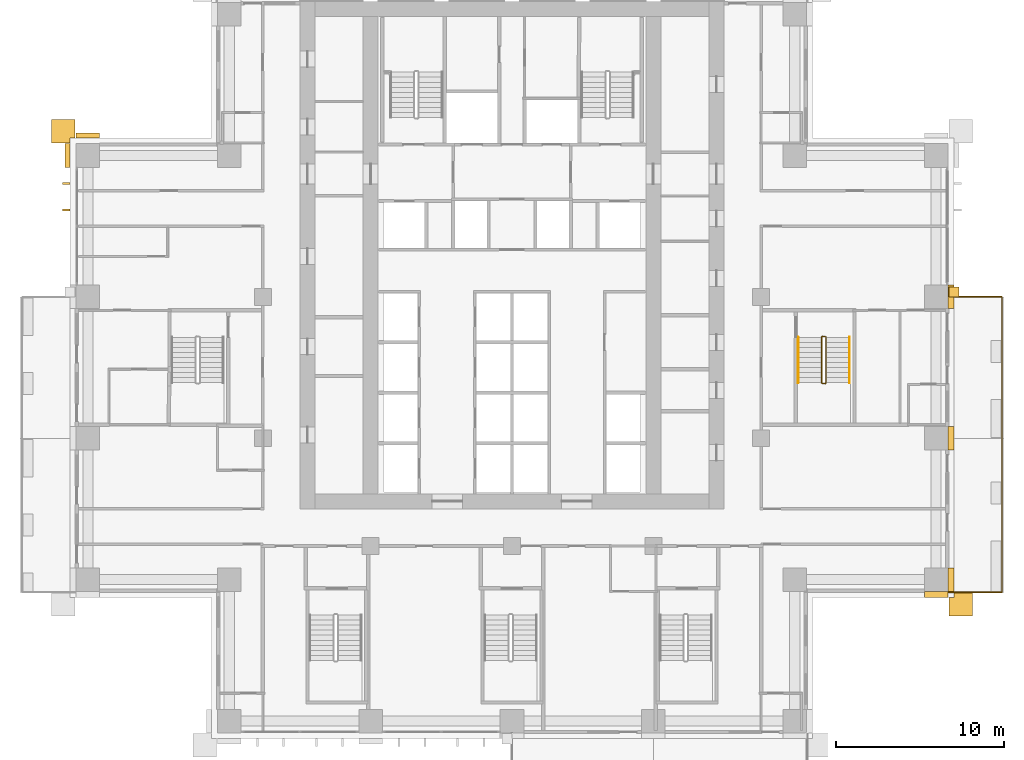
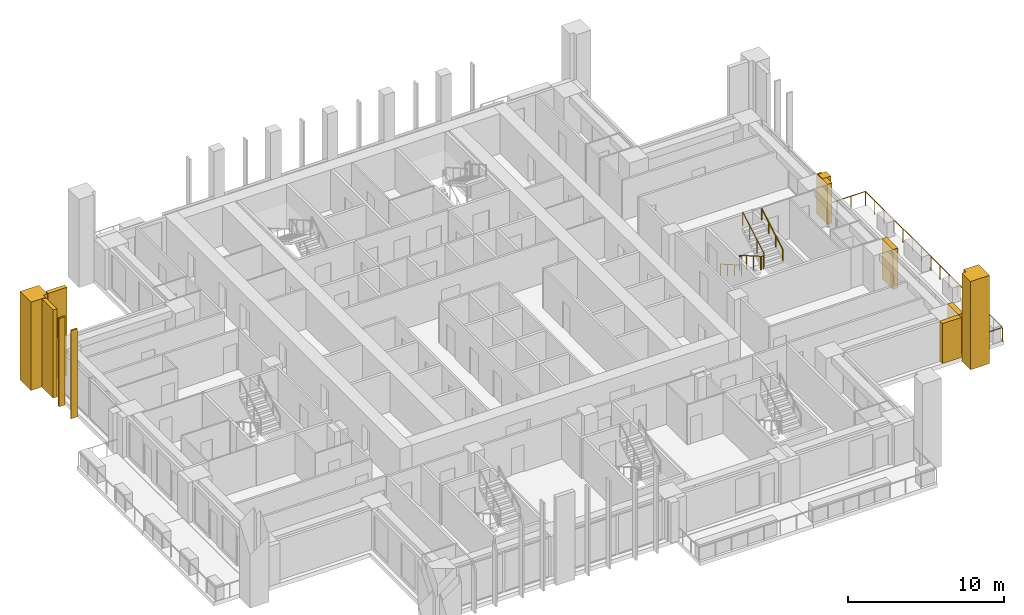
# One storey, part 17 of 19: 11 coverings, 5 railings.
"""IFC4 building model written with IfcOpenShell, lengths in metres."""

from ifc_helpers import new_model, si_unit, direction, frame, origin, origin_2d, place, context, subcontext, project, spatial, polyline, rectangle, outline, extrude, material, layer, layer_set, type_object, element, save


model = new_model("IFC4")

# Units and contexts
model_context = context("Model", 3, precision=1e-05, world=origin(), true_north=direction((0.0, 1.0)))
body_context = subcontext(model_context, "Body", "Model", "MODEL_VIEW")
ifc_project = project(units=[si_unit("LENGTHUNIT", "METRE"), si_unit("AREAUNIT", "SQUARE_METRE"), si_unit("VOLUMEUNIT", "CUBIC_METRE"), si_unit("PLANEANGLEUNIT", "RADIAN"), si_unit("MASSUNIT", "GRAM", prefix="KILO")], contexts=[model_context])

# Site, building, storey
site_placement = place(None, origin())
site = spatial("IfcSite", under=ifc_project, at=site_placement, CompositionType="ELEMENT")
building_placement = place(site_placement, origin())
building = spatial("IfcBuilding", under=site, at=building_placement, Name="Vermilion Ogive Tower", CompositionType="ELEMENT")
storey_placement = place(building_placement, frame((0.0, 0.0, 48.300048828125)))
storey = spatial("IfcBuildingStorey", under=building, at=storey_placement, Name="L10", CompositionType="ELEMENT", Elevation=48.300048828125)

# Railings
ifc_material_1 = material(Name="Stainless steel and glass", Category="steel")
railing_type_1 = type_object("IfcRailingType", Name="Balcony guard", PredefinedType="GUARDRAIL", material=ifc_material_1)
railing_1_placement = place(storey_placement, frame((25.949951171875, -13.35009765625, -0.0400390625)))
element("IfcRailing", 1, at=railing_1_placement, inside=storey, type_object=railing_type_1, Name="Guard E01", PredefinedType="GUARDRAIL", context=body_context, shape_type="SweptSolid", body=[
    extrude(rectangle(XDim=0.048095703125, YDim=0.048095703125, at=origin_2d()), frame((0.0, 0.0, 1.076171875), z_axis=(1.0, 0.0, 0.0), x_axis=(0.0, 1.0, 0.0)), (0.0, 0.0, 1.0), 3.16015625),
    extrude(rectangle(XDim=0.048095703125, YDim=0.048095703125, at=origin_2d()), frame((3.16015625, 0.0, 1.076171875), z_axis=(0.0, 1.0, 0.0), x_axis=(-1.0, 0.0, 0.0)), (0.0, 0.0, 1.0), 9.150146484375),
    extrude(rectangle(XDim=0.0419921875, YDim=0.0419921875, at=origin_2d()), origin(), (0.0, 0.0, 1.0), 1.052001953125),
    extrude(rectangle(XDim=0.0419921875, YDim=0.0419921875, at=origin_2d()), frame((1.053466796875, 0.0, 0.0)), (0.0, 0.0, 1.0), 1.052001953125),
    extrude(rectangle(XDim=0.0419921875, YDim=0.0419921875, at=origin_2d()), frame((2.106689453125, 0.0, 0.0)), (0.0, 0.0, 1.0), 1.052001953125),
    extrude(rectangle(XDim=0.0419921875, YDim=0.0419921875, at=origin_2d()), frame((3.16015625, 0.0, 0.0)), (0.0, 0.0, 1.0), 1.052001953125),
    extrude(rectangle(XDim=0.0419921875, YDim=0.0419921875, at=origin_2d()), frame((3.16015625, 1.143798828125, 0.0)), (0.0, 0.0, 1.0), 1.052001953125),
    extrude(rectangle(XDim=0.0419921875, YDim=0.0419921875, at=origin_2d()), frame((3.16015625, 2.28759765625, 0.0)), (0.0, 0.0, 1.0), 1.052001953125),
    extrude(rectangle(XDim=0.0419921875, YDim=0.0419921875, at=origin_2d()), frame((3.16015625, 3.431396484375, 0.0)), (0.0, 0.0, 1.0), 1.052001953125),
    extrude(rectangle(XDim=0.0419921875, YDim=0.0419921875, at=origin_2d()), frame((3.16015625, 4.5751953125, 0.0)), (0.0, 0.0, 1.0), 1.052001953125),
    extrude(rectangle(XDim=0.0419921875, YDim=0.0419921875, at=origin_2d()), frame((3.16015625, 5.71875, 0.0)), (0.0, 0.0, 1.0), 1.052001953125),
    extrude(rectangle(XDim=0.0419921875, YDim=0.0419921875, at=origin_2d()), frame((3.16015625, 6.862548828125, 0.0)), (0.0, 0.0, 1.0), 1.052001953125),
    extrude(rectangle(XDim=0.0419921875, YDim=0.0419921875, at=origin_2d()), frame((3.16015625, 8.00634765625, 0.0)), (0.0, 0.0, 1.0), 1.052001953125),
    extrude(rectangle(XDim=0.0419921875, YDim=0.0419921875, at=origin_2d()), frame((3.16015625, 9.150146484375, 0.0)), (0.0, 0.0, 1.0), 1.052001953125),
])
railing_2_placement = place(storey_placement, frame((29.110107421875, -4.199951171875, -0.0400390625)))
element("IfcRailing", 2, at=railing_2_placement, inside=storey, type_object=railing_type_1, Name="Guard E02", PredefinedType="GUARDRAIL", context=body_context, shape_type="SweptSolid", body=[
    extrude(rectangle(XDim=0.048095703125, YDim=0.048095703125, at=origin_2d()), frame((0.0, 0.0, 1.076171875), z_axis=(0.0, 1.0, 0.0), x_axis=(-1.0, 0.0, 0.0)), (0.0, 0.0, 1.0), 8.39990234375),
    extrude(rectangle(XDim=0.048095703125, YDim=0.048095703125, at=origin_2d()), frame((0.0, 8.39990234375, 1.076171875), z_axis=(-1.0, 0.0, 0.0), x_axis=(0.0, -1.0, 0.0)), (0.0, 0.0, 1.0), 3.16015625),
    extrude(rectangle(XDim=0.0419921875, YDim=0.0419921875, at=origin_2d()), origin(), (0.0, 0.0, 1.0), 1.052001953125),
    extrude(rectangle(XDim=0.0419921875, YDim=0.0419921875, at=origin_2d()), frame((0.0, 1.199951171875, 0.0)), (0.0, 0.0, 1.0), 1.052001953125),
    extrude(rectangle(XDim=0.0419921875, YDim=0.0419921875, at=origin_2d()), frame((0.0, 2.39990234375, 0.0)), (0.0, 0.0, 1.0), 1.052001953125),
    extrude(rectangle(XDim=0.0419921875, YDim=0.0419921875, at=origin_2d()), frame((0.0, 3.599853515625, 0.0)), (0.0, 0.0, 1.0), 1.052001953125),
    extrude(rectangle(XDim=0.0419921875, YDim=0.0419921875, at=origin_2d()), frame((0.0, 4.800048828125, 0.0)), (0.0, 0.0, 1.0), 1.052001953125),
    extrude(rectangle(XDim=0.0419921875, YDim=0.0419921875, at=origin_2d()), frame((0.0, 6.0, 0.0)), (0.0, 0.0, 1.0), 1.052001953125),
    extrude(rectangle(XDim=0.0419921875, YDim=0.0419921875, at=origin_2d()), frame((0.0, 7.199951171875, 0.0)), (0.0, 0.0, 1.0), 1.052001953125),
    extrude(rectangle(XDim=0.0419921875, YDim=0.0419921875, at=origin_2d()), frame((0.0, 8.39990234375, 0.0)), (0.0, 0.0, 1.0), 1.052001953125),
    extrude(rectangle(XDim=0.0419921875, YDim=0.0419921875, at=origin_2d()), frame((-1.053466796875, 8.39990234375, 0.0)), (0.0, 0.0, 1.0), 1.052001953125),
    extrude(rectangle(XDim=0.0419921875, YDim=0.0419921875, at=origin_2d()), frame((-2.106689453125, 8.39990234375, 0.0)), (0.0, 0.0, 1.0), 1.052001953125),
    extrude(rectangle(XDim=0.0419921875, YDim=0.0419921875, at=origin_2d()), frame((-3.16015625, 8.39990234375, 0.0)), (0.0, 0.0, 1.0), 1.052001953125),
])

# Coverings
ifc_material_2 = material(Name="Glazed ceramic screen")
ifc_layer = layer(ifc_material_2, 0.14990234375)
ifc_layer_set = layer_set([ifc_layer], Name="Ceramic solar screen fin")
covering_type_1 = type_object("IfcCoveringType", Name="Ceramic solar screen fin", PredefinedType="CLADDING", material=ifc_layer_set)
covering_1_placement = place(storey_placement, frame((0.0, 0.0, -0.320068359375)))
element("IfcCovering", 3, at=covering_1_placement, inside=storey, type_object=covering_type_1, Name="Solar screen blade W021", PredefinedType="CLADDING", context=body_context, shape_type="SweptSolid", body=[
    extrude(outline(polyline([(-26.699951171875, 10.985107421875), (-26.699951171875, 10.864990234375), (-26.25, 10.864990234375), (-26.25, 10.985107421875), (-26.699951171875, 10.985107421875)])), origin(), (0.0, 0.0, 1.0), 6.89990234375),
])
covering_2_placement = place(storey_placement, frame((0.0, 0.0, -0.320068359375)))
element("IfcCovering", 4, at=covering_2_placement, inside=storey, type_object=covering_type_1, Name="Solar screen blade W022", PredefinedType="CLADDING", context=body_context, shape_type="SweptSolid", body=[
    extrude(outline(polyline([(-26.699951171875, 9.43505859375), (-26.699951171875, 9.31494140625), (-26.25, 9.31494140625), (-26.25, 9.43505859375), (-26.699951171875, 9.43505859375)])), origin(), (0.0, 0.0, 1.0), 6.89990234375),
])

# Railings
ifc_material_3 = material(Name="Steel S355 painted", Category="steel")
railing_type_2 = type_object("IfcRailingType", Name="Stair guard 1100", PredefinedType="GUARDRAIL", material=ifc_material_3)
railing_3_placement = place(storey_placement, frame((18.60009765625, 1.85009765625, 0.0)))
element("IfcRailing", 5, at=railing_3_placement, inside=storey, type_object=railing_type_2, Name="L10 ST8 stair guard 4", PredefinedType="GUARDRAIL", context=body_context, shape_type="SweptSolid", body=[
    extrude(rectangle(XDim=0.048095703125, YDim=0.048095703125, at=origin_2d()), frame((0.0, 0.0, 1.076171875), z_axis=(-1.0, 0.0, 0.0), x_axis=(0.0, -1.0, 0.0)), (0.0, 0.0, 1.0), 0.150146484375),
    extrude(rectangle(XDim=0.048095703125, YDim=0.048095703125, at=origin_2d()), frame((-0.150146484375, 0.0, 1.076171875), z_axis=(-0.268603158521, -0.268603158521, 0.925043072762), x_axis=(0.707106781187, -0.707106781187, 0.0)), (0.0, 0.0, 1.0), 0.186279296875),
    extrude(rectangle(XDim=0.048095703125, YDim=0.048095703125, at=origin_2d()), frame((-0.2001953125, -0.050048828125, 1.24853515625), z_axis=(0.0, -0.866903762492, 0.498475542607), x_axis=(1.0, 0.0, 0.0)), (0.0, 0.0, 1.0), 3.114501953125),
    extrude(rectangle(XDim=0.048095703125, YDim=0.048095703125, at=origin_2d()), frame((-0.2001953125, -2.75, 2.80078125), z_axis=(0.707106781187, -0.707106781187, 0.0), x_axis=(0.707106781187, 0.707106781187, 0.0)), (0.0, 0.0, 1.0), 0.07080078125),
    extrude(rectangle(XDim=0.048095703125, YDim=0.048095703125, at=origin_2d()), frame((-0.150146484375, -2.800048828125, 2.80078125), z_axis=(1.0, 0.0, 0.0), x_axis=(0.0, 1.0, 0.0)), (0.0, 0.0, 1.0), 0.150146484375),
    extrude(rectangle(XDim=0.048095703125, YDim=0.048095703125, at=origin_2d()), frame((0.0, -2.800048828125, 2.80078125), z_axis=(0.267062837333, 0.268371968888, 0.925556009775), x_axis=(-0.708833529934, 0.705375805398, 0.0)), (0.0, 0.0, 1.0), 0.1865234375),
    extrude(rectangle(XDim=0.048095703125, YDim=0.048095703125, at=origin_2d()), frame((0.0498046875, -2.75, 2.9736328125), z_axis=(0.0, 0.866903762492, 0.498475542607), x_axis=(-1.0, 0.0, 0.0)), (0.0, 0.0, 1.0), 3.114501953125),
    extrude(rectangle(XDim=0.0419921875, YDim=0.0419921875, at=origin_2d()), origin(), (0.0, 0.0, 1.0), 1.052001953125),
    extrude(rectangle(XDim=0.0419921875, YDim=0.0419921875, at=origin_2d()), frame((-0.150146484375, 0.0, 0.0)), (0.0, 0.0, 1.0), 1.052001953125),
    extrude(rectangle(XDim=0.0419921875, YDim=0.0419921875, at=origin_2d()), frame((-0.2001953125, -0.050048828125, 0.17236328125)), (0.0, 0.0, 1.0), 1.052001953125),
    extrude(rectangle(XDim=0.0419921875, YDim=0.0419921875, at=origin_2d()), frame((-0.2001953125, -0.949951171875, 0.68994140625)), (0.0, 0.0, 1.0), 1.052001953125),
    extrude(rectangle(XDim=0.0419921875, YDim=0.0419921875, at=origin_2d()), frame((-0.2001953125, -1.85009765625, 1.207275390625)), (0.0, 0.0, 1.0), 1.052001953125),
    extrude(rectangle(XDim=0.0419921875, YDim=0.0419921875, at=origin_2d()), frame((-0.2001953125, -2.75, 1.724853515625)), (0.0, 0.0, 1.0), 1.052001953125),
    extrude(rectangle(XDim=0.0419921875, YDim=0.0419921875, at=origin_2d()), frame((-0.150146484375, -2.800048828125, 1.724853515625)), (0.0, 0.0, 1.0), 1.052001953125),
    extrude(rectangle(XDim=0.0419921875, YDim=0.0419921875, at=origin_2d()), frame((0.0, -2.800048828125, 1.724853515625)), (0.0, 0.0, 1.0), 1.052001953125),
    extrude(rectangle(XDim=0.0419921875, YDim=0.0419921875, at=origin_2d()), frame((0.0498046875, -2.75, 1.8974609375)), (0.0, 0.0, 1.0), 1.052001953125),
    extrude(rectangle(XDim=0.0419921875, YDim=0.0419921875, at=origin_2d()), frame((0.0498046875, -1.85009765625, 2.4150390625)), (0.0, 0.0, 1.0), 1.052001953125),
    extrude(rectangle(XDim=0.0419921875, YDim=0.0419921875, at=origin_2d()), frame((0.0498046875, -0.949951171875, 2.932373046875)), (0.0, 0.0, 1.0), 1.052001953125),
    extrude(rectangle(XDim=0.0419921875, YDim=0.0419921875, at=origin_2d()), frame((0.0498046875, -0.050048828125, 3.449951171875)), (0.0, 0.0, 1.0), 1.052001953125),
])
ifc_material_4 = material(Name="Stainless steel", Category="steel")
railing_type_3 = type_object("IfcRailingType", Name="Stair handrail 900", PredefinedType="HANDRAIL", material=ifc_material_4)
railing_4_placement = place(storey_placement, frame((17.0, 1.800048828125, 0.17236328125)))
element("IfcRailing", 6, at=railing_4_placement, inside=storey, type_object=railing_type_3, Name="L10 ST8 stair handrail 1", PredefinedType="HANDRAIL", context=body_context, shape_type="SweptSolid", body=[
    extrude(rectangle(XDim=0.048095703125, YDim=0.048095703125, at=origin_2d()), frame((0.0, 0.0, 0.8759765625), z_axis=(0.0, -0.866903762492, 0.498475542607), x_axis=(1.0, 0.0, 0.0)), (0.0, 0.0, 1.0), 3.114501953125),
    extrude(rectangle(XDim=0.0419921875, YDim=0.0419921875, at=origin_2d()), origin(), (0.0, 0.0, 1.0), 0.851806640625),
    extrude(rectangle(XDim=0.0419921875, YDim=0.0419921875, at=origin_2d()), frame((0.0, -0.89990234375, 0.517578125)), (0.0, 0.0, 1.0), 0.851806640625),
    extrude(rectangle(XDim=0.0419921875, YDim=0.0419921875, at=origin_2d()), frame((0.0, -1.800048828125, 1.034912109375)), (0.0, 0.0, 1.0), 0.851806640625),
    extrude(rectangle(XDim=0.0419921875, YDim=0.0419921875, at=origin_2d()), frame((0.0, -2.699951171875, 1.552490234375)), (0.0, 0.0, 1.0), 0.851806640625),
])
railing_5_placement = place(storey_placement, frame((20.050048828125, -0.89990234375, 1.8974609375)))
element("IfcRailing", 7, at=railing_5_placement, inside=storey, type_object=railing_type_3, Name="L10 ST8 stair handrail 2", PredefinedType="HANDRAIL", context=body_context, shape_type="SweptSolid", body=[
    extrude(rectangle(XDim=0.048095703125, YDim=0.048095703125, at=origin_2d()), frame((0.0, 0.0, 0.8759765625), z_axis=(0.0, 0.866903762492, 0.498475542607), x_axis=(-1.0, 0.0, 0.0)), (0.0, 0.0, 1.0), 3.114501953125),
    extrude(rectangle(XDim=0.0419921875, YDim=0.0419921875, at=origin_2d()), origin(), (0.0, 0.0, 1.0), 0.851806640625),
    extrude(rectangle(XDim=0.0419921875, YDim=0.0419921875, at=origin_2d()), frame((0.0, 0.89990234375, 0.517578125)), (0.0, 0.0, 1.0), 0.851806640625),
    extrude(rectangle(XDim=0.0419921875, YDim=0.0419921875, at=origin_2d()), frame((0.0, 1.800048828125, 1.034912109375)), (0.0, 0.0, 1.0), 0.851806640625),
    extrude(rectangle(XDim=0.0419921875, YDim=0.0419921875, at=origin_2d()), frame((0.0, 2.699951171875, 1.552490234375)), (0.0, 0.0, 1.0), 0.851806640625),
])

# Coverings
ifc_material_5 = material(Name="Stone cladding", Category="masonry")
covering_type_2 = type_object("IfcCoveringType", Name="Stone corner buttress", PredefinedType="CLADDING", material=ifc_material_5)
covering_3_placement = place(storey_placement, origin())
element("IfcCovering", 8, at=covering_3_placement, inside=storey, type_object=covering_type_2, Name="Stone crease pier EK", PredefinedType="CLADDING", context=body_context, shape_type="SweptSolid", body=[
    extrude(outline(polyline([(26.550048828125, 4.199951171875), (26.550048828125, 4.800048828125), (25.949951171875, 4.800048828125), (25.949951171875, 4.199951171875), (26.550048828125, 4.199951171875)])), origin(), (0.0, 0.0, 1.0), 3.1298828125),
])
covering_4_placement = place(storey_placement, frame((0.0, 0.0, -0.320068359375)))
element("IfcCovering", 9, at=covering_4_placement, inside=storey, type_object=covering_type_2, Name="Stone corner buttress E1", PredefinedType="CLADDING", context=body_context, shape_type="SweptSolid", body=[
    extrude(outline(polyline([(26.25, -13.64990234375), (26.25, -13.35009765625), (27.35009765625, -13.35009765625), (27.35009765625, -14.75), (25.949951171875, -14.75), (25.949951171875, -13.64990234375), (26.25, -13.64990234375)])), origin(), (0.0, 0.0, 1.0), 6.89990234375),
])
covering_5_placement = place(storey_placement, frame((0.0, 0.0, -0.320068359375)))
element("IfcCovering", 10, at=covering_5_placement, inside=storey, type_object=covering_type_2, Name="Stone corner buttress W1", PredefinedType="CLADDING", context=body_context, shape_type="SweptSolid", body=[
    extrude(outline(polyline([(-25.949951171875, 13.64990234375), (-26.25, 13.64990234375), (-26.25, 13.35009765625), (-27.35009765625, 13.35009765625), (-27.35009765625, 14.75), (-25.949951171875, 14.75), (-25.949951171875, 13.64990234375)])), origin(), (0.0, 0.0, 1.0), 6.89990234375),
])
ifc_material_6 = material(Name="Stone cladding", Category="masonry")
covering_type_3 = type_object("IfcCoveringType", Name="Stone pier", PredefinedType="CLADDING", material=ifc_material_6)
covering_6_placement = place(storey_placement, frame((0.0, 0.0, -0.320068359375)))
element("IfcCovering", 11, at=covering_6_placement, inside=storey, type_object=covering_type_3, Name="Stone pier P-0252+126X6", PredefinedType="CLADDING", context=body_context, shape_type="SweptSolid", body=[
    extrude(outline(polyline([(-25.89990234375, 13.949951171875), (-24.5, 13.949951171875), (-24.5, 13.64990234375), (-25.89990234375, 13.64990234375), (-25.89990234375, 13.949951171875)])), origin(), (0.0, 0.0, 1.0), 6.89990234375),
])
covering_7_placement = place(storey_placement, frame((0.0, 0.0, -0.320068359375)))
element("IfcCovering", 12, at=covering_7_placement, inside=storey, type_object=covering_type_3, Name="Stone pier P-0252+126W", PredefinedType="CLADDING", context=body_context, shape_type="SweptSolid", body=[
    extrude(outline(polyline([(-26.550048828125, 13.300048828125), (-26.25, 13.300048828125), (-26.25, 11.89990234375), (-26.550048828125, 11.89990234375), (-26.550048828125, 13.300048828125)])), origin(), (0.0, 0.0, 1.0), 6.89990234375),
])
covering_8_placement = place(storey_placement, origin())
element("IfcCovering", 13, at=covering_8_placement, inside=storey, type_object=covering_type_3, Name="Stone pier P+0252+042", PredefinedType="CLADDING", context=body_context, shape_type="SweptSolid", body=[
    extrude(outline(polyline([(26.25, 4.89990234375), (26.25, 4.800048828125), (25.949951171875, 4.800048828125), (25.949951171875, 4.199951171875), (26.25, 4.199951171875), (26.25, 3.5), (25.89990234375, 3.5), (25.89990234375, 4.89990234375), (26.25, 4.89990234375)])), origin(), (0.0, 0.0, 1.0), 3.1298828125),
])
covering_9_placement = place(storey_placement, origin())
element("IfcCovering", 14, at=covering_9_placement, inside=storey, type_object=covering_type_3, Name="Stone pier P+0252-042", PredefinedType="CLADDING", context=body_context, shape_type="SweptSolid", body=[
    extrude(outline(polyline([(26.25, -3.5), (26.25, -4.89990234375), (25.89990234375, -4.89990234375), (25.89990234375, -3.5), (26.25, -3.5)])), origin(), (0.0, 0.0, 1.0), 3.1298828125),
])
covering_10_placement = place(storey_placement, origin())
element("IfcCovering", 15, at=covering_10_placement, inside=storey, type_object=covering_type_3, Name="Stone pier P+0252-126X2", PredefinedType="CLADDING", context=body_context, shape_type="SweptSolid", body=[
    extrude(outline(polyline([(25.89990234375, -13.300048828125), (25.89990234375, -13.64990234375), (24.5, -13.64990234375), (24.5, -13.300048828125), (24.5, -13.300048828125), (25.89990234375, -13.300048828125)])), origin(), (0.0, 0.0, 1.0), 3.1298828125),
])
covering_11_placement = place(storey_placement, origin())
element("IfcCovering", 16, at=covering_11_placement, inside=storey, type_object=covering_type_3, Name="Stone pier P+0252-126E", PredefinedType="CLADDING", context=body_context, shape_type="SweptSolid", body=[
    extrude(outline(polyline([(26.25, -13.300048828125), (25.89990234375, -13.300048828125), (25.89990234375, -11.89990234375), (26.25, -11.89990234375), (26.25, -13.300048828125)])), origin(), (0.0, 0.0, 1.0), 3.1298828125),
])

save(model, "model.ifc")
